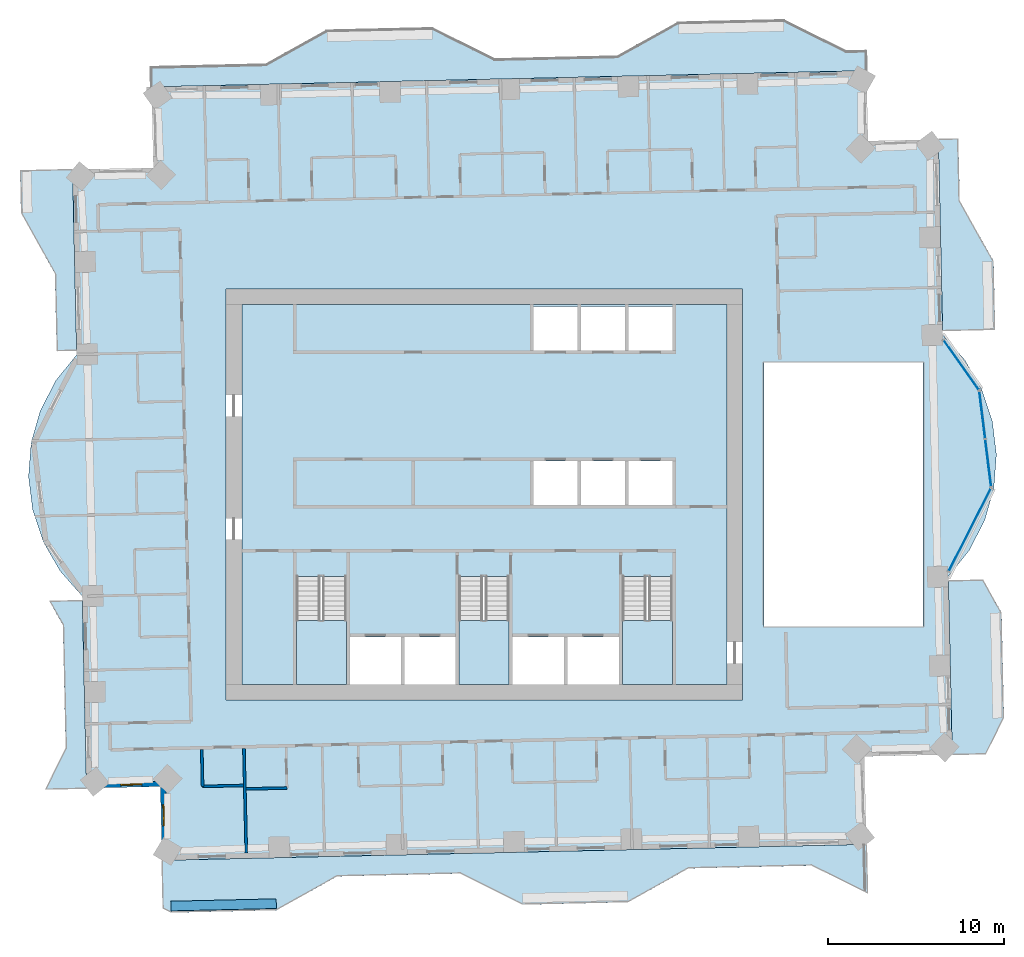
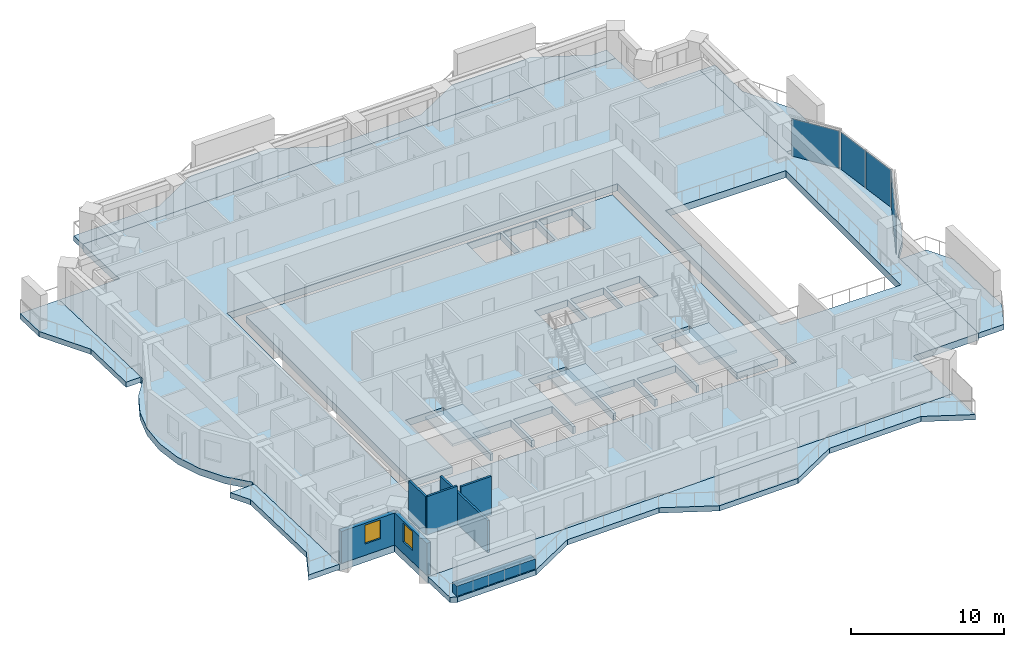
# One storey, part 5 of 16: 11 slabs, 7 walls, 4 plates, 2 windows, 2 openings, 6 elements without a shape of their own.
"""IFC4 building model written with IfcOpenShell, lengths in metres."""

from ifc_helpers import new_model, si_unit, direction, frame, frame_2d, origin, origin_2d, place, context, subcontext, project, spatial, polyline, rectangle, outline, extrude, material, layer, layer_set, type_object, element, fill, aggregate, save


model = new_model("IFC4")

# Units and contexts
model_context = context("Model", 3, precision=1e-05, world=origin(), true_north=direction((0.0, 1.0)))
body_context = subcontext(model_context, "Body", "Model", "MODEL_VIEW")
ifc_project = project(units=[si_unit("LENGTHUNIT", "METRE"), si_unit("AREAUNIT", "SQUARE_METRE"), si_unit("VOLUMEUNIT", "CUBIC_METRE"), si_unit("PLANEANGLEUNIT", "RADIAN"), si_unit("MASSUNIT", "GRAM", prefix="KILO")], contexts=[model_context])

# Site, building, storey
site_placement = place(None, origin())
site = spatial("IfcSite", under=ifc_project, at=site_placement, CompositionType="ELEMENT")
building_placement = place(site_placement, origin())
building = spatial("IfcBuilding", under=site, at=building_placement, Name="Mangrove Gate Tower", CompositionType="ELEMENT")
storey_placement = place(building_placement, frame((0.0, 0.0, 189.699951171875)))
storey = spatial("IfcBuildingStorey", under=building, at=storey_placement, Name="L48", CompositionType="ELEMENT", Elevation=189.699951171875)

# Curtain wall, plate
ifc_material_1 = material(Name="Aluminium and glass curtain wall", Category="aluminium")
curtain_wall_type = type_object("IfcCurtainWallType", Name="Atrium garden-court glazing wall", PredefinedType="NOTDEFINED", material=ifc_material_1)
curtain_wall_1_placement = place(storey_placement, origin())
curtain_wall_1 = element("IfcCurtainWall", 1, at=curtain_wall_1_placement, inside=storey, type_object=curtain_wall_type, Name="Atrium garden-court glazing E1f1", PredefinedType="NOTDEFINED")
ifc_material_2 = material(Name="Laminated low-e glass", Category="glass")
ifc_layer_1 = layer(ifc_material_2, 0.031982421875)
ifc_layer_set_1 = layer_set([ifc_layer_1], Name="Atrium garden-court glazing panel 32")
plate_type = type_object("IfcPlateType", Name="Atrium garden-court glazing panel 32", PredefinedType="CURTAIN_PANEL", material=ifc_layer_set_1)
plate_1_placement = place(storey_placement, frame((27.61572265625, -2.01220703125, 0.0), z_axis=(0.0, 0.0, 1.0), x_axis=(0.452578247326, 0.891724694089, 0.0)))
plate_1 = element("IfcPlate", 2, at=plate_1_placement, type_object=plate_type, Name="CWA panel 1.1", PredefinedType="CURTAIN_PANEL", context=body_context, shape_type="SweptSolid", body=[
    extrude(rectangle(XDim=5.25732421875, YDim=0.031982421875, at=origin_2d()), origin(), (0.0, 0.0, 1.0), 2.97998046875),
])
aggregate(curtain_wall_1, [plate_1])

# Curtain wall, plates
curtain_wall_2_placement = place(storey_placement, origin())
curtain_wall_2 = element("IfcCurtainWall", 3, at=curtain_wall_2_placement, inside=storey, type_object=curtain_wall_type, Name="Atrium garden-court glazing E1f2", PredefinedType="NOTDEFINED")
plate_2_placement = place(storey_placement, frame((28.664794921875, 1.79443359375, 0.0), z_axis=(0.0, 0.0, 1.0), x_axis=(-0.122172286076, 0.992508908028, 0.0)))
plate_2 = element("IfcPlate", 4, at=plate_2_placement, type_object=plate_type, Name="CWA panel 1.1", PredefinedType="CURTAIN_PANEL", context=body_context, shape_type="SweptSolid", body=[
    extrude(rectangle(XDim=2.681640625, YDim=0.031982421875, at=origin_2d()), origin(), (0.0, 0.0, 1.0), 2.97998046875),
])
plate_3_placement = place(storey_placement, frame((28.32861328125, 4.525634765625, 0.0), z_axis=(0.0, 0.0, 1.0), x_axis=(-0.122172286076, 0.992508908028, 0.0)))
plate_3 = element("IfcPlate", 5, at=plate_3_placement, type_object=plate_type, Name="CWA panel 2.1", PredefinedType="CURTAIN_PANEL", context=body_context, shape_type="SweptSolid", body=[
    extrude(rectangle(XDim=2.681640625, YDim=0.031982421875, at=origin_2d()), origin(), (0.0, 0.0, 1.0), 2.97998046875),
])
aggregate(curtain_wall_2, [plate_2, plate_3])

# Curtain wall, plate
curtain_wall_3_placement = place(storey_placement, origin())
curtain_wall_3 = element("IfcCurtainWall", 6, at=curtain_wall_3_placement, inside=storey, type_object=curtain_wall_type, Name="Atrium garden-court glazing E1f3", PredefinedType="NOTDEFINED")
plate_4_placement = place(storey_placement, frame((27.125, 7.381591796875, 0.0), z_axis=(0.0, 0.0, 1.0), x_axis=(-0.578106334278, 0.815961436753, 0.0)))
plate_4 = element("IfcPlate", 7, at=plate_4_placement, type_object=plate_type, Name="CWA panel 1.1", PredefinedType="CURTAIN_PANEL", context=body_context, shape_type="SweptSolid", body=[
    extrude(rectangle(XDim=3.427978515625, YDim=0.031982421875, at=origin_2d()), origin(), (0.0, 0.0, 1.0), 2.97998046875),
])
aggregate(curtain_wall_3, [plate_4])

# Slabs
ifc_material_3 = material(Name="Porcelain tile")
ifc_layer_2 = layer(ifc_material_3, 0.02001953125, Name="Tile finish")
ifc_material_4 = material(Name="Cement sand screed")
ifc_layer_3 = layer(ifc_material_4, 0.0400390625, Name="Screed laid to falls")
ifc_material_5 = material(Name="Bituminous waterproofing membrane")
ifc_layer_4 = layer(ifc_material_5, 0.00390625, Name="Waterproofing")
ifc_material_6 = material(Name="Concrete C40/50", Category="concrete")
ifc_layer_5 = layer(ifc_material_6, 0.340087890625, Name="Balcony structural slab")
ifc_material_7 = material(Name="Limestone", Category="masonry")
ifc_layer_6 = layer(ifc_material_7, 0.01611328125, Name="Soffit lining")
ifc_layer_set_2 = layer_set([ifc_layer_2, ifc_layer_3, ifc_layer_4, ifc_layer_5, ifc_layer_6], Name="Balcony slab 420 C40/50")
slab_type_1 = type_object("IfcSlabType", Name="Balcony slab 420 C40/50", PredefinedType="FLOOR", material=ifc_layer_set_2)
slab_1_placement = place(storey_placement, frame((0.0, 0.0, -0.419921875)))
element("IfcSlab", 8, at=slab_1_placement, inside=storey, type_object=slab_type_1, Name="BALCONY L48 E0", PredefinedType="FLOOR", context=body_context, shape_type="SweptSolid", body=[
    extrude(outline(polyline([(28.552001953125, -14.742919921875), (29.56298828125, -12.718994140625), (29.427001953125, -6.720947265625), (28.39404296875, -4.868896484375), (26.39501953125, -4.9140625), (26.43798828125, -6.7890625), (26.573974609375, -12.787109375), (26.618896484375, -14.787109375), (28.552001953125, -14.742919921875)])), origin(), (0.0, 0.0, 1.0), 0.419921875),
])
slab_2_placement = place(storey_placement, frame((0.0, 0.0, -0.419921875)))
element("IfcSlab", 9, at=slab_2_placement, inside=storey, type_object=slab_type_1, Name="BALCONY L48 E1", PredefinedType="FLOOR", context=body_context, shape_type="SweptSolid", body=[
    extrude(outline(polyline([(29.06103515625, 9.39990234375), (28.972900390625, 13.27392578125), (27.0439453125, 16.73095703125), (26.965087890625, 20.22998046875), (25.824951171875, 20.2041015625), (25.905029296875, 16.705078125), (25.98388671875, 13.2060546875), (26.072021484375, 9.3330078125), (29.06103515625, 9.39990234375)])), origin(), (0.0, 0.0, 1.0), 0.419921875),
])
slab_3_placement = place(storey_placement, frame((0.0, 0.0, -0.419921875)))
element("IfcSlab", 10, at=slab_3_placement, inside=storey, type_object=slab_type_1, Name="BALCONY L48 N0", PredefinedType="FLOOR", context=body_context, shape_type="SweptSolid", body=[
    extrude(outline(polyline([(21.7099609375, 25.251953125), (20.570068359375, 25.22607421875), (17.029052734375, 26.9970703125), (11.030029296875, 26.860107421875), (7.572998046875, 24.931884765625), (0.574951171875, 24.77392578125), (-2.966064453125, 26.54296875), (-8.964111328125, 26.406982421875), (-12.422119140625, 24.47802734375), (-18.9599609375, 24.3291015625), (-18.93408203125, 23.18994140625), (-8.89697265625, 23.4169921875), (21.736083984375, 24.113037109375), (21.7099609375, 25.251953125)])), origin(), (0.0, 0.0, 1.0), 0.419921875),
])
slab_4_placement = place(storey_placement, frame((0.0, 0.0, -0.419921875)))
element("IfcSlab", 11, at=slab_4_placement, inside=storey, type_object=slab_type_1, Name="BALCONY L48 W0", PredefinedType="FLOOR", context=body_context, shape_type="SweptSolid", body=[
    extrude(outline(polyline([(-26.41796875, 18.4189453125), (-26.363037109375, 16.01904296875), (-24.43408203125, 12.56201171875), (-24.3349609375, 8.18896484375), (-23.195068359375, 8.214111328125), (-23.294921875, 12.587890625), (-23.3740234375, 16.0869140625), (-23.427978515625, 18.487060546875), (-26.41796875, 18.4189453125)])), origin(), (0.0, 0.0, 1.0), 0.419921875),
])
slab_5_placement = place(storey_placement, frame((0.0, 0.0, -0.419921875)))
element("IfcSlab", 12, at=slab_5_placement, inside=storey, type_object=slab_type_1, Name="BALCONY L48 W1", PredefinedType="FLOOR", context=body_context, shape_type="SweptSolid", body=[
    extrude(outline(polyline([(-24.738037109375, -6.074951171875), (-23.98095703125, -7.43310546875), (-23.822021484375, -14.430908203125), (-24.985107421875, -16.758056640625), (-22.6298828125, -16.7041015625), (-22.681884765625, -14.405029296875), (-22.841064453125, -7.406982421875), (-22.8720703125, -6.032958984375), (-24.738037109375, -6.074951171875)])), origin(), (0.0, 0.0, 1.0), 0.419921875),
])
slab_6_placement = place(storey_placement, frame((0.0, 0.0, -0.419921875)))
element("IfcSlab", 13, at=slab_6_placement, inside=storey, type_object=slab_type_1, Name="BALCONY L48 S0", PredefinedType="FLOOR", context=body_context, shape_type="SweptSolid", body=[
    extrude(outline(polyline([(-18.27294921875, -23.56494140625), (-17.827880859375, -23.787109375), (-11.8291015625, -23.65087890625), (-8.3720703125, -21.721923828125), (-1.3740234375, -21.56298828125), (2.1669921875, -23.333984375), (8.1650390625, -23.197021484375), (11.623046875, -21.26904296875), (18.62109375, -21.111083984375), (21.798095703125, -22.697998046875), (21.73388671875, -19.89892578125), (-18.3359375, -20.80810546875), (-18.27294921875, -23.56494140625)])), origin(), (0.0, 0.0, 1.0), 0.419921875),
])
ifc_material_8 = material(Name="Concrete C40/50", Category="concrete")
ifc_layer_7 = layer(ifc_material_8, 0.550048828125)
ifc_layer_set_3 = layer_set([ifc_layer_7], Name="Core floor slab 550 C40/50")
slab_type_2 = type_object("IfcSlabType", Name="Core floor slab 550 C40/50", PredefinedType="FLOOR", material=ifc_layer_set_3)
slab_7_placement = place(storey_placement, frame((0.0, 0.0, -0.550048828125)))
element("IfcSlab", 14, at=slab_7_placement, inside=storey, type_object=slab_type_2, Name="SLAB-L48-CORE-1", PredefinedType="FLOOR", context=body_context, shape_type="SweptSolid", body=[
    extrude(outline(polyline([(-13.800048828125, -10.800048828125), (-13.800048828125, 10.800048828125), (13.800048828125, 10.800048828125), (13.800048828125, -10.800048828125), (10.699951171875, -10.800048828125), (10.699951171875, -4.653076171875), (7.85009765625, -4.653076171875), (7.85009765625, -10.800048828125), (7.64990234375, -10.800048828125), (7.64990234375, -8.10009765625), (4.72509765625, -8.10009765625), (4.72509765625, -10.800048828125), (4.52490234375, -10.800048828125), (4.52490234375, -8.10009765625), (1.60009765625, -8.10009765625), (1.60009765625, -10.800048828125), (1.39990234375, -10.800048828125), (1.39990234375, -4.653076171875), (-1.449951171875, -4.653076171875), (-1.449951171875, -10.800048828125), (-1.64990234375, -10.800048828125), (-1.64990234375, -8.10009765625), (-4.550048828125, -8.10009765625), (-4.550048828125, -10.800048828125), (-4.75, -10.800048828125), (-4.75, -8.10009765625), (-7.64990234375, -8.10009765625), (-7.64990234375, -10.800048828125), (-7.85009765625, -10.800048828125), (-7.85009765625, -4.653076171875), (-10.699951171875, -4.653076171875), (-10.699951171875, -10.800048828125), (-13.800048828125, -10.800048828125)]), holes=[polyline([(5.300048828125, -0.60009765625), (5.300048828125, 1.89990234375), (2.800048828125, 1.89990234375), (2.800048828125, -0.60009765625), (5.300048828125, -0.60009765625)]), polyline([(5.300048828125, 10.699951171875), (2.800048828125, 10.699951171875), (2.800048828125, 8.199951171875), (5.300048828125, 8.199951171875), (5.300048828125, 10.699951171875)]), polyline([(8.0, -0.60009765625), (8.0, 1.89990234375), (5.5, 1.89990234375), (5.5, -0.60009765625), (8.0, -0.60009765625)]), polyline([(10.699951171875, -0.60009765625), (10.699951171875, 1.89990234375), (8.199951171875, 1.89990234375), (8.199951171875, -0.60009765625), (10.699951171875, -0.60009765625)]), polyline([(8.0, 8.199951171875), (8.0, 10.699951171875), (5.5, 10.699951171875), (5.5, 8.199951171875), (8.0, 8.199951171875)]), polyline([(10.699951171875, 8.199951171875), (10.699951171875, 10.699951171875), (8.199951171875, 10.699951171875), (8.199951171875, 8.199951171875), (10.699951171875, 8.199951171875)])]), origin(), (0.0, 0.0, 1.0), 0.550048828125),
])

# Stair, slab
ifc_material_9 = material(Name="Concrete C40/50", Category="concrete")
stair_type = type_object("IfcStairType", Name="Core stair 1350", PredefinedType="HALF_TURN_STAIR", material=ifc_material_9)
stair_1_placement = place(storey_placement, origin())
stair_1 = element("IfcStair", 15, at=stair_1_placement, inside=storey, type_object=stair_type, Name="L48 Stair 1", PredefinedType="HALF_TURN_STAIR")
ifc_material_10 = material(Name="Concrete C40/50", Category="concrete")
ifc_layer_8 = layer(ifc_material_10, 0.199951171875)
ifc_layer_set_4 = layer_set([ifc_layer_8], Name="Core stair landing 200")
slab_type_3 = type_object("IfcSlabType", Name="Core stair landing 200", PredefinedType="LANDING", material=ifc_layer_set_4)
slab_8_placement = place(storey_placement, frame((0.0, 0.0, 1.60009765625)))
slab_8 = element("IfcSlab", 16, at=slab_8_placement, type_object=slab_type_3, Name="ST1 landing 1", PredefinedType="LANDING", context=body_context, shape_type="SweptSolid", body=[
    extrude(outline(polyline([(-10.699951171875, -7.169921875), (-10.699951171875, -10.800048828125), (-7.85009765625, -10.800048828125), (-7.85009765625, -7.169921875), (-10.699951171875, -7.169921875)])), origin(), (0.0, 0.0, 1.0), 0.199951171875),
])
aggregate(stair_1, [slab_8])

stair_2_placement = place(storey_placement, origin())
stair_2 = element("IfcStair", 17, at=stair_2_placement, inside=storey, type_object=stair_type, Name="L48 Stair 2", PredefinedType="HALF_TURN_STAIR")
slab_9_placement = place(storey_placement, frame((0.0, 0.0, 1.60009765625)))
slab_9 = element("IfcSlab", 18, at=slab_9_placement, type_object=slab_type_3, Name="ST2 landing 1", PredefinedType="LANDING", context=body_context, shape_type="SweptSolid", body=[
    extrude(outline(polyline([(-1.449951171875, -7.169921875), (-1.449951171875, -10.800048828125), (1.39990234375, -10.800048828125), (1.39990234375, -7.169921875), (-1.449951171875, -7.169921875)])), origin(), (0.0, 0.0, 1.0), 0.199951171875),
])
aggregate(stair_2, [slab_9])

stair_3_placement = place(storey_placement, origin())
stair_3 = element("IfcStair", 19, at=stair_3_placement, inside=storey, type_object=stair_type, Name="L48 Stair 3", PredefinedType="HALF_TURN_STAIR")
slab_10_placement = place(storey_placement, frame((0.0, 0.0, 1.60009765625)))
slab_10 = element("IfcSlab", 20, at=slab_10_placement, type_object=slab_type_3, Name="ST3 landing 1", PredefinedType="LANDING", context=body_context, shape_type="SweptSolid", body=[
    extrude(outline(polyline([(7.85009765625, -7.169921875), (7.85009765625, -10.800048828125), (10.699951171875, -10.800048828125), (10.699951171875, -7.169921875), (7.85009765625, -7.169921875)])), origin(), (0.0, 0.0, 1.0), 0.199951171875),
])
aggregate(stair_3, [slab_10])

# Slab
ifc_material_11 = material(Name="Concrete C40/50", Category="concrete")
ifc_layer_9 = layer(ifc_material_11, 0.550048828125)
ifc_layer_set_5 = layer_set([ifc_layer_9], Name="Floor slab 550 C40/50")
slab_type_4 = type_object("IfcSlabType", Name="Floor slab 550 C40/50", PredefinedType="FLOOR", material=ifc_layer_set_5)
slab_11_placement = place(storey_placement, frame((0.0, 0.0, -0.550048828125)))
element("IfcSlab", 21, at=slab_11_placement, inside=storey, type_object=slab_type_4, Name="Floor slab L48", PredefinedType="FLOOR", context=body_context, shape_type="SweptSolid", body=[
    extrude(outline(polyline([(-18.335693359375, -20.80810546875), (21.734130859375, -19.898681640625), (21.62060546875, -14.900146484375), (26.619384765625, -14.78662109375), (26.3896484375, -4.66455078125), (27.586181640625, -3.172119140625), (28.463134765625, -1.472412109375), (28.985595703125, 0.36767578125), (29.1328125, 2.27490234375), (28.899169921875, 4.17333984375), (28.293701171875, 5.98779296875), (27.340576171875, 7.64599609375), (26.07763671875, 9.08251953125), (25.8251953125, 20.204345703125), (21.826416015625, 20.113525390625), (21.735595703125, 24.112548828125), (-18.93408203125, 23.189697265625), (-18.82958984375, 18.5908203125), (-23.428466796875, 18.486572265625), (-23.189697265625, 7.964599609375), (-24.38623046875, 6.47216796875), (-25.26318359375, 4.772216796875), (-25.78564453125, 2.932373046875), (-25.932861328125, 1.025146484375), (-25.69921875, -0.873291015625), (-25.09375, -2.687744140625), (-24.140625, -4.345947265625), (-22.877685546875, -5.782470703125), (-22.6298828125, -16.704345703125), (-18.430908203125, -16.609130859375), (-18.335693359375, -20.80810546875)]), holes=[polyline([(15.89990234375, 7.5), (24.964111328125, 7.5), (24.964111328125, -7.5), (15.89990234375, -7.5), (15.89990234375, 7.5)]), polyline([(-14.699951171875, -11.699951171875), (-14.699951171875, 11.699951171875), (14.699951171875, 11.699951171875), (14.699951171875, -11.699951171875), (-14.699951171875, -11.699951171875)])]), origin(), (0.0, 0.0, 1.0), 0.550048828125),
])

# Wall, opening, window
ifc_layer_10 = layer(ifc_material_7, 0.0400390625, Name="Limestone cladding")
ifc_material_12 = material(Name="Ventilated air gap")
ifc_layer_11 = layer(ifc_material_12, 0.0400390625, Name="Ventilated cavity")
ifc_material_13 = material(Name="Mineral wool insulation")
ifc_layer_12 = layer(ifc_material_13, 0.06005859375, Name="Insulation")
ifc_material_14 = material(Name="Breather membrane")
ifc_layer_13 = layer(ifc_material_14, 0.001953125, Name="Breather membrane")
ifc_material_15 = material(Name="Concrete C20/25 blockwork", Category="masonry")
ifc_layer_14 = layer(ifc_material_15, 0.14990234375, Name="Blockwork backing wall")
ifc_material_16 = material(Name="Gypsum plaster")
ifc_layer_15 = layer(ifc_material_16, 0.008056640625, Name="Internal plaster")
ifc_layer_set_6 = layer_set([ifc_layer_10, ifc_layer_11, ifc_layer_12, ifc_layer_13, ifc_layer_14, ifc_layer_15], Name="External wall 300 limestone cladding")
wall_type_1 = type_object("IfcWallType", Name="External wall 300 limestone cladding", PredefinedType="SOLIDWALL", material=ifc_layer_set_6)
wall_1_placement = place(storey_placement, frame((-22.48291015625, -16.551025390625, 0.0), z_axis=(0.0, 0.0, 1.0), x_axis=(0.999744320311, 0.022611811187, 0.0)))
wall_1 = element("IfcWall", 22, at=wall_1_placement, inside=storey, type_object=wall_type_1, Name="WALL-L48-S11", PredefinedType="SOLIDWALL", context=body_context, shape_type="SweptSolid", body=[
    extrude(rectangle(XDim=4.199951171875, YDim=0.300048828125, at=frame_2d((2.10009765625, 0.0))), origin(), (0.0, 0.0, 1.0), 2.550048828125),
])
opening_1_placement = place(wall_1_placement, frame((1.7958984375, 0.0, 0.89990234375)))
opening_1 = element("IfcOpeningElement", 23, at=opening_1_placement, cuts=wall_1, Name="Opening W1", PredefinedType="OPENING", context=body_context, shape_type="SweptSolid", body=[
    extrude(rectangle(XDim=1.199951171875, YDim=1.5, at=frame_2d((0.60009765625, 0.75))), frame((0.0, 0.159912109375, 0.0), z_axis=(0.0, -1.0, 0.0), x_axis=(1.0, 0.0, 0.0)), (0.0, 0.0, 1.0), 0.320068359375),
])
ifc_material_17 = material(Name="Aluminium frame with double-glazed low-e glass", Category="aluminium")
window_type = type_object("IfcWindowType", Name="Side lite 1200x1500", PartitioningType="SINGLE_PANEL", PredefinedType="WINDOW", material=ifc_material_17)
window_1_placement = place(opening_1_placement, origin())
window_1 = element("IfcWindow", 24, at=window_1_placement, inside=storey, type_object=window_type, Name="WIN-L48-S11-1", OverallHeight=1.5, OverallWidth=1.199951171875, PartitioningType="SINGLE_PANEL", PredefinedType="WINDOW", context=body_context, shape_type="SweptSolid", body=[
    extrude(rectangle(XDim=1.199951171875, YDim=1.5, at=frame_2d((0.60009765625, 0.75))), frame((0.0, 0.030029296875, 0.0), z_axis=(0.0, -1.0, 0.0), x_axis=(1.0, 0.0, 0.0)), (0.0, 0.0, 1.0), 0.06005859375),
])
fill(opening_1, window_1)

wall_2_placement = place(storey_placement, frame((-18.283935546875, -16.4560546875, 0.0), z_axis=(0.0, 0.0, 1.0), x_axis=(0.022611811187, -0.999744320311, 0.0)))
wall_2 = element("IfcWall", 25, at=wall_2_placement, inside=storey, type_object=wall_type_1, Name="WALL-L48-W12", PredefinedType="SOLIDWALL", context=body_context, shape_type="SweptSolid", body=[
    extrude(rectangle(XDim=4.199951171875, YDim=0.300048828125, at=frame_2d((2.10009765625, 0.0))), origin(), (0.0, 0.0, 1.0), 2.550048828125),
])
opening_2_placement = place(wall_2_placement, frame((1.194091796875, 0.0, 0.89990234375)))
opening_2 = element("IfcOpeningElement", 26, at=opening_2_placement, cuts=wall_2, Name="Opening W1", PredefinedType="OPENING", context=body_context, shape_type="SweptSolid", body=[
    extrude(rectangle(XDim=1.199951171875, YDim=1.5, at=frame_2d((0.60009765625, 0.75))), frame((0.0, 0.159912109375, 0.0), z_axis=(0.0, -1.0, 0.0), x_axis=(1.0, 0.0, 0.0)), (0.0, 0.0, 1.0), 0.320068359375),
])
window_2_placement = place(opening_2_placement, origin())
window_2 = element("IfcWindow", 27, at=window_2_placement, inside=storey, type_object=window_type, Name="WIN-L48-W12-1", OverallHeight=1.5, OverallWidth=1.199951171875, PartitioningType="SINGLE_PANEL", PredefinedType="WINDOW", context=body_context, shape_type="SweptSolid", body=[
    extrude(rectangle(XDim=1.199951171875, YDim=1.5, at=frame_2d((0.60009765625, 0.75))), frame((0.0, 0.030029296875, 0.0), z_axis=(0.0, -1.0, 0.0), x_axis=(1.0, 0.0, 0.0)), (0.0, 0.0, 1.0), 0.06005859375),
])
fill(opening_2, window_2)

# Walls
ifc_material_18 = material(Name="Gypsum board on steel stud, EI 60", Category="steel")
ifc_layer_16 = layer(ifc_material_18, 0.14990234375)
ifc_layer_set_7 = layer_set([ifc_layer_16], Name="Party wall 150 EI 60")
wall_type_2 = type_object("IfcWallType", Name="Party wall 150 EI 60", PredefinedType="PARTITIONING", material=ifc_layer_set_7)
wall_3_placement = place(storey_placement, frame((-13.5439453125, -20.39892578125, 0.0), z_axis=(0.0, 0.0, 1.0), x_axis=(-0.022692509051, 0.999742491861, 0.0)))
element("IfcWall", 28, at=wall_3_placement, inside=storey, type_object=wall_type_2, Name="WALL-L48-001", PredefinedType="PARTITIONING", context=body_context, shape_type="SweptSolid", body=[
    extrude(rectangle(XDim=5.949462890625, YDim=0.14990234375, at=frame_2d((2.974609375, 0.0))), origin(), (0.0, 0.0, 1.0), 2.550048828125),
])
for number, where, z_axis, x_axis, name in (
    (29, (-13.551025390625, -16.748046875, 0.0), (0.0, 0.0, 1.0), (0.999749744571, 0.022370700241, 0.0), "WALL-L48-009"),
    (30, (-16.030029296875, -16.60498046875, 0.0), (0.0, 0.0, 1.0), (0.999740260747, 0.02279059109, 0.0), "WALL-L48-020"),
):
    element("IfcWall", number, at=place(storey_placement, frame(where, z_axis=z_axis, x_axis=x_axis)), inside=storey, type_object=wall_type_2, Name=name, PredefinedType="PARTITIONING", context=body_context, shape_type="SweptSolid", body=[
        extrude(rectangle(XDim=2.324462890625, YDim=0.14990234375, at=frame_2d((1.162109375, 0.0))), origin(), (0.0, 0.0, 1.0), 3.050048828125),
    ])
wall_4_placement = place(storey_placement, frame((-16.030029296875, -16.60498046875, 0.0), z_axis=(0.0, 0.0, 1.0), x_axis=(-0.022779486249, 0.999740513837, 0.0)))
element("IfcWall", 31, at=wall_4_placement, inside=storey, type_object=wall_type_2, Name="WALL-L48-021", PredefinedType="PARTITIONING", context=body_context, shape_type="SweptSolid", body=[
    extrude(rectangle(XDim=2.1005859375, YDim=0.14990234375, at=frame_2d((1.05029296875, 0.0))), origin(), (0.0, 0.0, 1.0), 3.050048828125),
])
ifc_material_19 = material(Name="Concrete C32/40", Category="concrete")
ifc_layer_17 = layer(ifc_material_19, 0.199951171875, Name="Planter trough wall")
ifc_layer_18 = layer(ifc_material_5, 0.0048828125, Name="Waterproofing")
ifc_material_20 = material(Name="Drainage board and gravel")
ifc_layer_19 = layer(ifc_material_20, 0.044921875, Name="Drainage layer")
ifc_material_21 = material(Name="Planting soil")
ifc_layer_20 = layer(ifc_material_21, 0.300048828125, Name="Growing medium")
ifc_layer_set_8 = layer_set([ifc_layer_17, ifc_layer_18, ifc_layer_19, ifc_layer_20], Name="Planter wall 550 C32/40")
wall_type_3 = type_object("IfcWallType", Name="Planter wall 550 C32/40", PredefinedType="USERDEFINED", material=ifc_layer_set_8)
wall_5_placement = place(storey_placement, frame((-17.8359375, -23.412109375, 0.0), z_axis=(0.0, 0.0, 1.0), x_axis=(0.999742171567, 0.022706615587, 0.0)))
element("IfcWall", 32, at=wall_5_placement, inside=storey, type_object=wall_type_3, Name="PLANTER L48 S0.1", ObjectType="PLANTER", PredefinedType="USERDEFINED", context=body_context, shape_type="SweptSolid", body=[
    extrude(rectangle(XDim=5.99951171875, YDim=0.550048828125, at=frame_2d((2.999755859375, 0.0))), origin(), (0.0, 0.0, 1.0), 0.800048828125),
])

save(model, "model.ifc")
